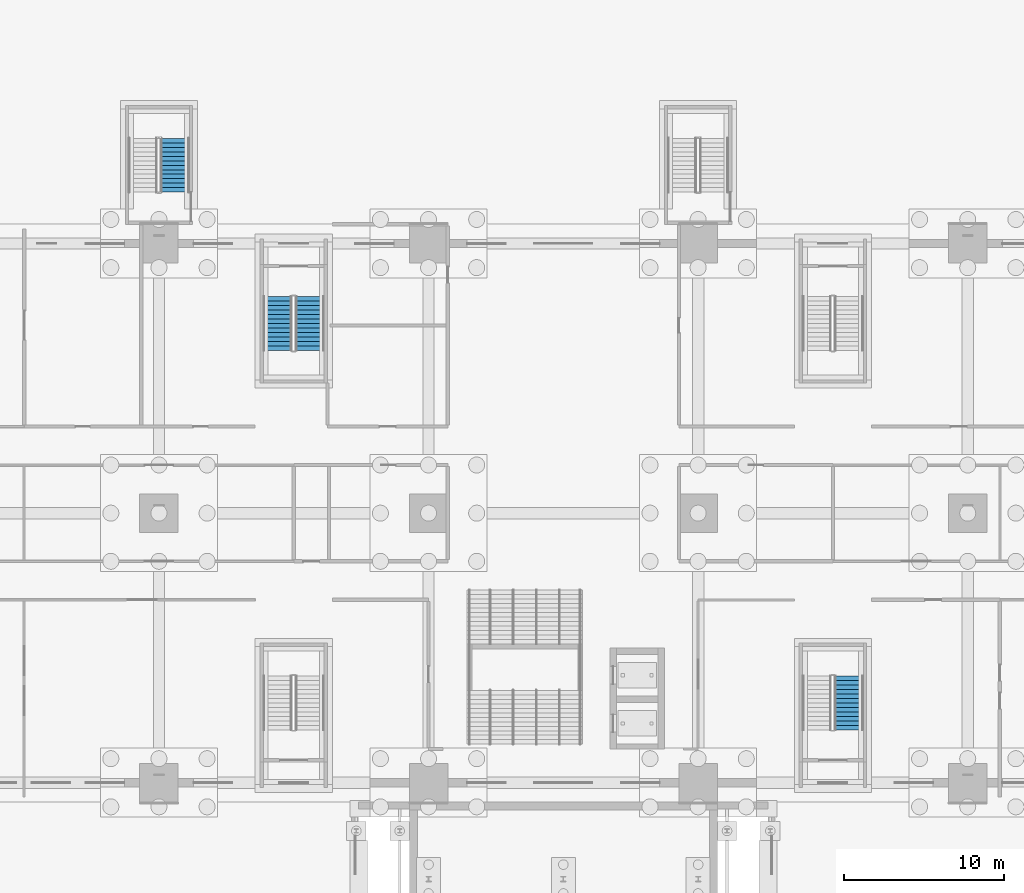
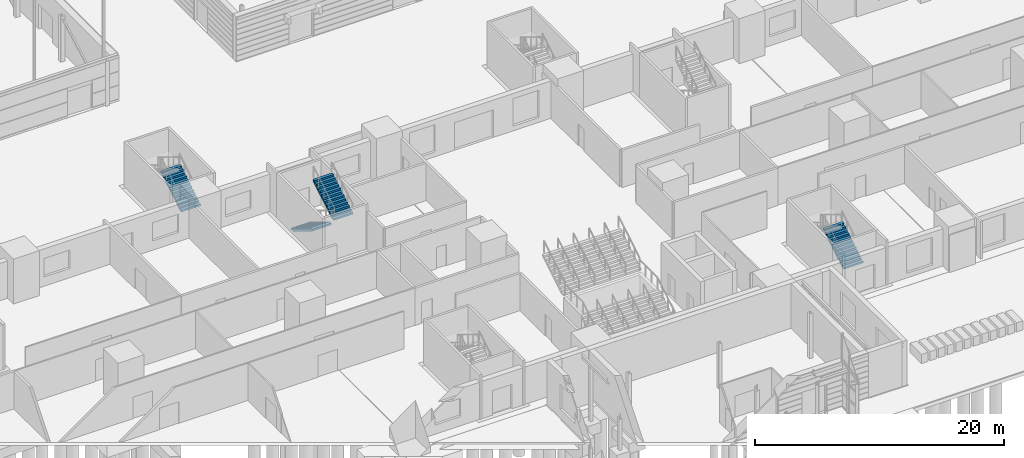
# One storey, part 109 of 139: 4 stair flights, 3 elements without a shape of their own.
"""IFC4 building model written with IfcOpenShell, lengths in metres."""

from ifc_helpers import new_model, si_unit, direction, frame, origin, place, context, subcontext, project, spatial, polygons, material, type_object, element, aggregate, save


model = new_model("IFC4")

# Units and contexts
model_context = context("Model", 3, precision=1e-05, world=origin(), true_north=direction((0.0, 1.0)))
body_context = subcontext(model_context, "Body", "Model", "MODEL_VIEW")
ifc_project = project(units=[si_unit("LENGTHUNIT", "METRE"), si_unit("AREAUNIT", "SQUARE_METRE"), si_unit("VOLUMEUNIT", "CUBIC_METRE"), si_unit("PLANEANGLEUNIT", "RADIAN"), si_unit("MASSUNIT", "GRAM", prefix="KILO")], contexts=[model_context])

# Site, building, storey
site_placement = place(None, origin())
site = spatial("IfcSite", under=ifc_project, at=site_placement, CompositionType="ELEMENT")
building_placement = place(site_placement, origin())
building = spatial("IfcBuilding", under=site, at=building_placement, Name="Verrick Yard Athletic Hall", CompositionType="ELEMENT")
storey_placement = place(building_placement, origin())
storey = spatial("IfcBuildingStorey", under=building, at=storey_placement, Name="L00", CompositionType="ELEMENT", Elevation=0.0)

# Stair, stair flight
ifc_material = material(Name="Concrete 35 MPa", Category="concrete")
stair_type = type_object("IfcStairType", Name="Stair ST3 1800 wide 26 risers", PredefinedType="HALF_TURN_STAIR", material=ifc_material)
stair_1_placement = place(storey_placement, origin())
stair_1 = element("IfcStair", 1, at=stair_1_placement, inside=storey, type_object=stair_type, Name="North deck escape 3 stair L00", PredefinedType="HALF_TURN_STAIR")
stair_flight_type = type_object("IfcStairFlightType", Name="Stair flight SF3 1800 wide 13 risers", PredefinedType="STRAIGHT", material=ifc_material)
stair_flight_1_placement = place(storey_placement, frame((74.60009765625, 56.0, 0.0), z_axis=(0.0, 0.0, 1.0), x_axis=(0.0, 1.0, 0.0)))
stair_flight_1 = element("IfcStairFlight", 2, at=stair_flight_1_placement, type_object=stair_flight_type, Name="ST3 flight 1", NumberOfRisers=13, NumberOfTreads=12, PredefinedType="STRAIGHT", RiserHeight=0.169230769, TreadLength=0.28, context=body_context, shape_type="Tessellation", body=[
    polygons([(0.28980123017674275, -0.89990234375, 0.0), (3.3600000000000003, -0.89990234375, 1.855614638571585), (3.3600000000000003, -0.89990234375, 2.030769228), (3.08, -0.89990234375, 2.030769228), (3.08, -0.89990234375, 1.8615384590000001), (2.8000000000000003, -0.89990234375, 1.8615384590000001), (2.8000000000000003, -0.89990234375, 1.69230769), (2.5200000000000005, -0.89990234375, 1.69230769), (2.5200000000000005, -0.89990234375, 1.523076921), (2.24, -0.89990234375, 1.523076921), (2.24, -0.89990234375, 1.353846152), (1.9600000000000002, -0.89990234375, 1.353846152), (1.9600000000000002, -0.89990234375, 1.1846153830000001), (1.6800000000000002, -0.89990234375, 1.1846153830000001), (1.6800000000000002, -0.89990234375, 1.015384614), (1.4000000000000001, -0.89990234375, 1.015384614), (1.4000000000000001, -0.89990234375, 0.846153845), (1.12, -0.89990234375, 0.846153845), (1.12, -0.89990234375, 0.676923076), (0.8400000000000001, -0.89990234375, 0.676923076), (0.8400000000000001, -0.89990234375, 0.507692307), (0.56, -0.89990234375, 0.507692307), (0.56, -0.89990234375, 0.338461538), (0.28, -0.89990234375, 0.338461538), (0.28, -0.89990234375, 0.169230769), (0.0, -0.89990234375, 0.169230769), (0.0, -0.89990234375, 0.0), (0.28980123017674275, -0.179931640625, 0.0), (3.3600000000000003, -0.179931640625, 1.855614638571585), (3.3600000000000003, -0.179931640625, 2.030769228), (3.08, -0.179931640625, 2.030769228), (3.08, -0.179931640625, 1.8615384590000001), (2.8000000000000003, -0.179931640625, 1.8615384590000001), (2.8000000000000003, -0.179931640625, 1.69230769), (2.5200000000000005, -0.179931640625, 1.69230769), (2.5200000000000005, -0.179931640625, 1.523076921), (2.24, -0.179931640625, 1.523076921), (2.24, -0.179931640625, 1.353846152), (1.9600000000000002, -0.179931640625, 1.353846152), (1.9600000000000002, -0.179931640625, 1.1846153830000001), (1.6800000000000002, -0.179931640625, 1.1846153830000001), (1.6800000000000002, -0.179931640625, 1.015384614), (1.4000000000000001, -0.179931640625, 1.015384614), (1.4000000000000001, -0.179931640625, 0.846153845), (1.12, -0.179931640625, 0.846153845), (1.12, -0.179931640625, 0.676923076), (0.8400000000000001, -0.179931640625, 0.676923076), (0.8400000000000001, -0.179931640625, 0.507692307), (0.56, -0.179931640625, 0.507692307), (0.56, -0.179931640625, 0.338461538), (0.28, -0.179931640625, 0.338461538), (0.28, -0.179931640625, 0.169230769), (0.0, -0.179931640625, 0.169230769), (0.0, -0.179931640625, 0.0), (0.28980123017674275, 0.179931640625, 0.0), (3.3600000000000003, 0.179931640625, 1.855614638571585), (3.3600000000000003, 0.179931640625, 2.030769228), (3.08, 0.179931640625, 2.030769228), (3.08, 0.179931640625, 1.8615384590000001), (2.8000000000000003, 0.179931640625, 1.8615384590000001), (2.8000000000000003, 0.179931640625, 1.69230769), (2.5200000000000005, 0.179931640625, 1.69230769), (2.5200000000000005, 0.179931640625, 1.523076921), (2.24, 0.179931640625, 1.523076921), (2.24, 0.179931640625, 1.353846152), (1.9600000000000002, 0.179931640625, 1.353846152), (1.9600000000000002, 0.179931640625, 1.1846153830000001), (1.6800000000000002, 0.179931640625, 1.1846153830000001), (1.6800000000000002, 0.179931640625, 1.015384614), (1.4000000000000001, 0.179931640625, 1.015384614), (1.4000000000000001, 0.179931640625, 0.846153845), (1.12, 0.179931640625, 0.846153845), (1.12, 0.179931640625, 0.676923076), (0.8400000000000001, 0.179931640625, 0.676923076), (0.8400000000000001, 0.179931640625, 0.507692307), (0.56, 0.179931640625, 0.507692307), (0.56, 0.179931640625, 0.338461538), (0.28, 0.179931640625, 0.338461538), (0.28, 0.179931640625, 0.169230769), (0.0, 0.179931640625, 0.169230769), (0.0, 0.179931640625, 0.0), (0.28980123017674275, 0.89990234375, 0.0), (3.3600000000000003, 0.89990234375, 1.855614638571585), (3.3600000000000003, 0.89990234375, 2.030769228), (3.08, 0.89990234375, 2.030769228), (3.08, 0.89990234375, 1.8615384590000001), (2.8000000000000003, 0.89990234375, 1.8615384590000001), (2.8000000000000003, 0.89990234375, 1.69230769), (2.5200000000000005, 0.89990234375, 1.69230769), (2.5200000000000005, 0.89990234375, 1.523076921), (2.24, 0.89990234375, 1.523076921), (2.24, 0.89990234375, 1.353846152), (1.9600000000000002, 0.89990234375, 1.353846152), (1.9600000000000002, 0.89990234375, 1.1846153830000001), (1.6800000000000002, 0.89990234375, 1.1846153830000001), (1.6800000000000002, 0.89990234375, 1.015384614), (1.4000000000000001, 0.89990234375, 1.015384614), (1.4000000000000001, 0.89990234375, 0.846153845), (1.12, 0.89990234375, 0.846153845), (1.12, 0.89990234375, 0.676923076), (0.8400000000000001, 0.89990234375, 0.676923076), (0.8400000000000001, 0.89990234375, 0.507692307), (0.56, 0.89990234375, 0.507692307), (0.56, 0.89990234375, 0.338461538), (0.28, 0.89990234375, 0.338461538), (0.28, 0.89990234375, 0.169230769), (0.0, 0.89990234375, 0.169230769), (0.0, 0.89990234375, 0.0)], [[[1, 2, 3, 4, 5, 6, 7, 8, 9, 10, 11, 12, 13, 14, 15, 16, 17, 18, 19, 20, 21, 22, 23, 24, 25, 26, 27]], [[108, 107, 106, 105, 104, 103, 102, 101, 100, 99, 98, 97, 96, 95, 94, 93, 92, 91, 90, 89, 88, 87, 86, 85, 84, 83, 82]], [[1, 28, 29, 2]], [[2, 29, 30, 3]], [[3, 30, 31, 4]], [[4, 31, 32, 5]], [[5, 32, 33, 6]], [[6, 33, 34, 7]], [[7, 34, 35, 8]], [[8, 35, 36, 9]], [[9, 36, 37, 10]], [[10, 37, 38, 11]], [[11, 38, 39, 12]], [[12, 39, 40, 13]], [[13, 40, 41, 14]], [[14, 41, 42, 15]], [[15, 42, 43, 16]], [[16, 43, 44, 17]], [[17, 44, 45, 18]], [[18, 45, 46, 19]], [[19, 46, 47, 20]], [[20, 47, 48, 21]], [[21, 48, 49, 22]], [[22, 49, 50, 23]], [[23, 50, 51, 24]], [[24, 51, 52, 25]], [[25, 52, 53, 26]], [[26, 53, 54, 27]], [[27, 54, 28, 1]], [[28, 55, 56, 29]], [[29, 56, 57, 30]], [[30, 57, 58, 31]], [[31, 58, 59, 32]], [[32, 59, 60, 33]], [[33, 60, 61, 34]], [[34, 61, 62, 35]], [[35, 62, 63, 36]], [[36, 63, 64, 37]], [[37, 64, 65, 38]], [[38, 65, 66, 39]], [[39, 66, 67, 40]], [[40, 67, 68, 41]], [[41, 68, 69, 42]], [[42, 69, 70, 43]], [[43, 70, 71, 44]], [[44, 71, 72, 45]], [[45, 72, 73, 46]], [[46, 73, 74, 47]], [[47, 74, 75, 48]], [[48, 75, 76, 49]], [[49, 76, 77, 50]], [[50, 77, 78, 51]], [[51, 78, 79, 52]], [[52, 79, 80, 53]], [[53, 80, 81, 54]], [[54, 81, 55, 28]], [[55, 82, 83, 56]], [[56, 83, 84, 57]], [[57, 84, 85, 58]], [[58, 85, 86, 59]], [[59, 86, 87, 60]], [[60, 87, 88, 61]], [[61, 88, 89, 62]], [[62, 89, 90, 63]], [[63, 90, 91, 64]], [[64, 91, 92, 65]], [[65, 92, 93, 66]], [[66, 93, 94, 67]], [[67, 94, 95, 68]], [[68, 95, 96, 69]], [[69, 96, 97, 70]], [[70, 97, 98, 71]], [[71, 98, 99, 72]], [[72, 99, 100, 73]], [[73, 100, 101, 74]], [[74, 101, 102, 75]], [[75, 102, 103, 76]], [[76, 103, 104, 77]], [[77, 104, 105, 78]], [[78, 105, 106, 79]], [[79, 106, 107, 80]], [[80, 107, 108, 81]], [[81, 108, 82, 55]]], closed=True),
])
aggregate(stair_1, [stair_flight_1])

# Stair, stair flights
stair_2_placement = place(storey_placement, origin())
stair_2 = element("IfcStair", 3, at=stair_2_placement, inside=storey, type_object=stair_type, Name="North plinth exit 2 stair L00", PredefinedType="HALF_TURN_STAIR")
stair_flight_2_placement = place(storey_placement, frame((81.0, 49.5, 0.0), z_axis=(0.0, 0.0, 1.0), x_axis=(0.0, -1.0, 0.0)))
stair_flight_2 = element("IfcStairFlight", 4, at=stair_flight_2_placement, type_object=stair_flight_type, Name="ST3 flight 1", NumberOfRisers=13, NumberOfTreads=12, PredefinedType="STRAIGHT", RiserHeight=0.169230769, TreadLength=0.28, context=body_context, shape_type="Tessellation", body=[
    polygons([(0.28980123017674275, -0.89990234375, 0.0), (3.3600000000000003, -0.89990234375, 1.855614638571585), (3.3600000000000003, -0.89990234375, 2.030769228), (3.08, -0.89990234375, 2.030769228), (3.08, -0.89990234375, 1.8615384590000001), (2.8000000000000003, -0.89990234375, 1.8615384590000001), (2.8000000000000003, -0.89990234375, 1.69230769), (2.5200000000000005, -0.89990234375, 1.69230769), (2.5200000000000005, -0.89990234375, 1.523076921), (2.24, -0.89990234375, 1.523076921), (2.24, -0.89990234375, 1.353846152), (1.9600000000000002, -0.89990234375, 1.353846152), (1.9600000000000002, -0.89990234375, 1.1846153830000001), (1.6800000000000002, -0.89990234375, 1.1846153830000001), (1.6800000000000002, -0.89990234375, 1.015384614), (1.4000000000000001, -0.89990234375, 1.015384614), (1.4000000000000001, -0.89990234375, 0.846153845), (1.12, -0.89990234375, 0.846153845), (1.12, -0.89990234375, 0.676923076), (0.8400000000000001, -0.89990234375, 0.676923076), (0.8400000000000001, -0.89990234375, 0.507692307), (0.56, -0.89990234375, 0.507692307), (0.56, -0.89990234375, 0.338461538), (0.28, -0.89990234375, 0.338461538), (0.28, -0.89990234375, 0.169230769), (0.0, -0.89990234375, 0.169230769), (0.0, -0.89990234375, 0.0), (0.28980123017674275, -0.179931640625, 0.0), (3.3600000000000003, -0.179931640625, 1.855614638571585), (3.3600000000000003, -0.179931640625, 2.030769228), (3.08, -0.179931640625, 2.030769228), (3.08, -0.179931640625, 1.8615384590000001), (2.8000000000000003, -0.179931640625, 1.8615384590000001), (2.8000000000000003, -0.179931640625, 1.69230769), (2.5200000000000005, -0.179931640625, 1.69230769), (2.5200000000000005, -0.179931640625, 1.523076921), (2.24, -0.179931640625, 1.523076921), (2.24, -0.179931640625, 1.353846152), (1.9600000000000002, -0.179931640625, 1.353846152), (1.9600000000000002, -0.179931640625, 1.1846153830000001), (1.6800000000000002, -0.179931640625, 1.1846153830000001), (1.6800000000000002, -0.179931640625, 1.015384614), (1.4000000000000001, -0.179931640625, 1.015384614), (1.4000000000000001, -0.179931640625, 0.846153845), (1.12, -0.179931640625, 0.846153845), (1.12, -0.179931640625, 0.676923076), (0.8400000000000001, -0.179931640625, 0.676923076), (0.8400000000000001, -0.179931640625, 0.507692307), (0.56, -0.179931640625, 0.507692307), (0.56, -0.179931640625, 0.338461538), (0.28, -0.179931640625, 0.338461538), (0.28, -0.179931640625, 0.169230769), (0.0, -0.179931640625, 0.169230769), (0.0, -0.179931640625, 0.0), (0.28980123017674275, 0.179931640625, 0.0), (3.3600000000000003, 0.179931640625, 1.855614638571585), (3.3600000000000003, 0.179931640625, 2.030769228), (3.08, 0.179931640625, 2.030769228), (3.08, 0.179931640625, 1.8615384590000001), (2.8000000000000003, 0.179931640625, 1.8615384590000001), (2.8000000000000003, 0.179931640625, 1.69230769), (2.5200000000000005, 0.179931640625, 1.69230769), (2.5200000000000005, 0.179931640625, 1.523076921), (2.24, 0.179931640625, 1.523076921), (2.24, 0.179931640625, 1.353846152), (1.9600000000000002, 0.179931640625, 1.353846152), (1.9600000000000002, 0.179931640625, 1.1846153830000001), (1.6800000000000002, 0.179931640625, 1.1846153830000001), (1.6800000000000002, 0.179931640625, 1.015384614), (1.4000000000000001, 0.179931640625, 1.015384614), (1.4000000000000001, 0.179931640625, 0.846153845), (1.12, 0.179931640625, 0.846153845), (1.12, 0.179931640625, 0.676923076), (0.8400000000000001, 0.179931640625, 0.676923076), (0.8400000000000001, 0.179931640625, 0.507692307), (0.56, 0.179931640625, 0.507692307), (0.56, 0.179931640625, 0.338461538), (0.28, 0.179931640625, 0.338461538), (0.28, 0.179931640625, 0.169230769), (0.0, 0.179931640625, 0.169230769), (0.0, 0.179931640625, 0.0), (0.28980123017674275, 0.89990234375, 0.0), (3.3600000000000003, 0.89990234375, 1.855614638571585), (3.3600000000000003, 0.89990234375, 2.030769228), (3.08, 0.89990234375, 2.030769228), (3.08, 0.89990234375, 1.8615384590000001), (2.8000000000000003, 0.89990234375, 1.8615384590000001), (2.8000000000000003, 0.89990234375, 1.69230769), (2.5200000000000005, 0.89990234375, 1.69230769), (2.5200000000000005, 0.89990234375, 1.523076921), (2.24, 0.89990234375, 1.523076921), (2.24, 0.89990234375, 1.353846152), (1.9600000000000002, 0.89990234375, 1.353846152), (1.9600000000000002, 0.89990234375, 1.1846153830000001), (1.6800000000000002, 0.89990234375, 1.1846153830000001), (1.6800000000000002, 0.89990234375, 1.015384614), (1.4000000000000001, 0.89990234375, 1.015384614), (1.4000000000000001, 0.89990234375, 0.846153845), (1.12, 0.89990234375, 0.846153845), (1.12, 0.89990234375, 0.676923076), (0.8400000000000001, 0.89990234375, 0.676923076), (0.8400000000000001, 0.89990234375, 0.507692307), (0.56, 0.89990234375, 0.507692307), (0.56, 0.89990234375, 0.338461538), (0.28, 0.89990234375, 0.338461538), (0.28, 0.89990234375, 0.169230769), (0.0, 0.89990234375, 0.169230769), (0.0, 0.89990234375, 0.0)], [[[1, 2, 3, 4, 5, 6, 7, 8, 9, 10, 11, 12, 13, 14, 15, 16, 17, 18, 19, 20, 21, 22, 23, 24, 25, 26, 27]], [[108, 107, 106, 105, 104, 103, 102, 101, 100, 99, 98, 97, 96, 95, 94, 93, 92, 91, 90, 89, 88, 87, 86, 85, 84, 83, 82]], [[1, 28, 29, 2]], [[2, 29, 30, 3]], [[3, 30, 31, 4]], [[4, 31, 32, 5]], [[5, 32, 33, 6]], [[6, 33, 34, 7]], [[7, 34, 35, 8]], [[8, 35, 36, 9]], [[9, 36, 37, 10]], [[10, 37, 38, 11]], [[11, 38, 39, 12]], [[12, 39, 40, 13]], [[13, 40, 41, 14]], [[14, 41, 42, 15]], [[15, 42, 43, 16]], [[16, 43, 44, 17]], [[17, 44, 45, 18]], [[18, 45, 46, 19]], [[19, 46, 47, 20]], [[20, 47, 48, 21]], [[21, 48, 49, 22]], [[22, 49, 50, 23]], [[23, 50, 51, 24]], [[24, 51, 52, 25]], [[25, 52, 53, 26]], [[26, 53, 54, 27]], [[27, 54, 28, 1]], [[28, 55, 56, 29]], [[29, 56, 57, 30]], [[30, 57, 58, 31]], [[31, 58, 59, 32]], [[32, 59, 60, 33]], [[33, 60, 61, 34]], [[34, 61, 62, 35]], [[35, 62, 63, 36]], [[36, 63, 64, 37]], [[37, 64, 65, 38]], [[38, 65, 66, 39]], [[39, 66, 67, 40]], [[40, 67, 68, 41]], [[41, 68, 69, 42]], [[42, 69, 70, 43]], [[43, 70, 71, 44]], [[44, 71, 72, 45]], [[45, 72, 73, 46]], [[46, 73, 74, 47]], [[47, 74, 75, 48]], [[48, 75, 76, 49]], [[49, 76, 77, 50]], [[50, 77, 78, 51]], [[51, 78, 79, 52]], [[52, 79, 80, 53]], [[53, 80, 81, 54]], [[54, 81, 55, 28]], [[55, 82, 83, 56]], [[56, 83, 84, 57]], [[57, 84, 85, 58]], [[58, 85, 86, 59]], [[59, 86, 87, 60]], [[60, 87, 88, 61]], [[61, 88, 89, 62]], [[62, 89, 90, 63]], [[63, 90, 91, 64]], [[64, 91, 92, 65]], [[65, 92, 93, 66]], [[66, 93, 94, 67]], [[67, 94, 95, 68]], [[68, 95, 96, 69]], [[69, 96, 97, 70]], [[70, 97, 98, 71]], [[71, 98, 99, 72]], [[72, 99, 100, 73]], [[73, 100, 101, 74]], [[74, 101, 102, 75]], [[75, 102, 103, 76]], [[76, 103, 104, 77]], [[77, 104, 105, 78]], [[78, 105, 106, 79]], [[79, 106, 107, 80]], [[80, 107, 108, 81]], [[81, 108, 82, 55]]], closed=True),
])
stair_flight_3_placement = place(storey_placement, frame((83.0, 46.139892578125, 2.199951171875), z_axis=(0.0, 0.0, 1.0), x_axis=(0.0, 1.0, 0.0)))
stair_flight_3 = element("IfcStairFlight", 5, at=stair_flight_3_placement, type_object=stair_flight_type, Name="ST3 flight 2", NumberOfRisers=13, NumberOfTreads=12, PredefinedType="STRAIGHT", RiserHeight=0.169230769, TreadLength=0.28, context=body_context, shape_type="Tessellation", body=[
    polygons([(0.28980123017674275, -0.89990234375, 0.0), (3.3600000000000003, -0.89990234375, 1.855614638571585), (3.3600000000000003, -0.89990234375, 2.030769228), (3.08, -0.89990234375, 2.030769228), (3.08, -0.89990234375, 1.8615384590000001), (2.8000000000000003, -0.89990234375, 1.8615384590000001), (2.8000000000000003, -0.89990234375, 1.69230769), (2.5200000000000005, -0.89990234375, 1.69230769), (2.5200000000000005, -0.89990234375, 1.523076921), (2.24, -0.89990234375, 1.523076921), (2.24, -0.89990234375, 1.353846152), (1.9600000000000002, -0.89990234375, 1.353846152), (1.9600000000000002, -0.89990234375, 1.1846153830000001), (1.6800000000000002, -0.89990234375, 1.1846153830000001), (1.6800000000000002, -0.89990234375, 1.015384614), (1.4000000000000001, -0.89990234375, 1.015384614), (1.4000000000000001, -0.89990234375, 0.846153845), (1.12, -0.89990234375, 0.846153845), (1.12, -0.89990234375, 0.676923076), (0.8400000000000001, -0.89990234375, 0.676923076), (0.8400000000000001, -0.89990234375, 0.507692307), (0.56, -0.89990234375, 0.507692307), (0.56, -0.89990234375, 0.338461538), (0.28, -0.89990234375, 0.338461538), (0.28, -0.89990234375, 0.169230769), (0.0, -0.89990234375, 0.169230769), (0.0, -0.89990234375, 0.0), (0.28980123017674275, -0.179931640625, 0.0), (3.3600000000000003, -0.179931640625, 1.855614638571585), (3.3600000000000003, -0.179931640625, 2.030769228), (3.08, -0.179931640625, 2.030769228), (3.08, -0.179931640625, 1.8615384590000001), (2.8000000000000003, -0.179931640625, 1.8615384590000001), (2.8000000000000003, -0.179931640625, 1.69230769), (2.5200000000000005, -0.179931640625, 1.69230769), (2.5200000000000005, -0.179931640625, 1.523076921), (2.24, -0.179931640625, 1.523076921), (2.24, -0.179931640625, 1.353846152), (1.9600000000000002, -0.179931640625, 1.353846152), (1.9600000000000002, -0.179931640625, 1.1846153830000001), (1.6800000000000002, -0.179931640625, 1.1846153830000001), (1.6800000000000002, -0.179931640625, 1.015384614), (1.4000000000000001, -0.179931640625, 1.015384614), (1.4000000000000001, -0.179931640625, 0.846153845), (1.12, -0.179931640625, 0.846153845), (1.12, -0.179931640625, 0.676923076), (0.8400000000000001, -0.179931640625, 0.676923076), (0.8400000000000001, -0.179931640625, 0.507692307), (0.56, -0.179931640625, 0.507692307), (0.56, -0.179931640625, 0.338461538), (0.28, -0.179931640625, 0.338461538), (0.28, -0.179931640625, 0.169230769), (0.0, -0.179931640625, 0.169230769), (0.0, -0.179931640625, 0.0), (0.28980123017674275, 0.179931640625, 0.0), (3.3600000000000003, 0.179931640625, 1.855614638571585), (3.3600000000000003, 0.179931640625, 2.030769228), (3.08, 0.179931640625, 2.030769228), (3.08, 0.179931640625, 1.8615384590000001), (2.8000000000000003, 0.179931640625, 1.8615384590000001), (2.8000000000000003, 0.179931640625, 1.69230769), (2.5200000000000005, 0.179931640625, 1.69230769), (2.5200000000000005, 0.179931640625, 1.523076921), (2.24, 0.179931640625, 1.523076921), (2.24, 0.179931640625, 1.353846152), (1.9600000000000002, 0.179931640625, 1.353846152), (1.9600000000000002, 0.179931640625, 1.1846153830000001), (1.6800000000000002, 0.179931640625, 1.1846153830000001), (1.6800000000000002, 0.179931640625, 1.015384614), (1.4000000000000001, 0.179931640625, 1.015384614), (1.4000000000000001, 0.179931640625, 0.846153845), (1.12, 0.179931640625, 0.846153845), (1.12, 0.179931640625, 0.676923076), (0.8400000000000001, 0.179931640625, 0.676923076), (0.8400000000000001, 0.179931640625, 0.507692307), (0.56, 0.179931640625, 0.507692307), (0.56, 0.179931640625, 0.338461538), (0.28, 0.179931640625, 0.338461538), (0.28, 0.179931640625, 0.169230769), (0.0, 0.179931640625, 0.169230769), (0.0, 0.179931640625, 0.0), (0.28980123017674275, 0.89990234375, 0.0), (3.3600000000000003, 0.89990234375, 1.855614638571585), (3.3600000000000003, 0.89990234375, 2.030769228), (3.08, 0.89990234375, 2.030769228), (3.08, 0.89990234375, 1.8615384590000001), (2.8000000000000003, 0.89990234375, 1.8615384590000001), (2.8000000000000003, 0.89990234375, 1.69230769), (2.5200000000000005, 0.89990234375, 1.69230769), (2.5200000000000005, 0.89990234375, 1.523076921), (2.24, 0.89990234375, 1.523076921), (2.24, 0.89990234375, 1.353846152), (1.9600000000000002, 0.89990234375, 1.353846152), (1.9600000000000002, 0.89990234375, 1.1846153830000001), (1.6800000000000002, 0.89990234375, 1.1846153830000001), (1.6800000000000002, 0.89990234375, 1.015384614), (1.4000000000000001, 0.89990234375, 1.015384614), (1.4000000000000001, 0.89990234375, 0.846153845), (1.12, 0.89990234375, 0.846153845), (1.12, 0.89990234375, 0.676923076), (0.8400000000000001, 0.89990234375, 0.676923076), (0.8400000000000001, 0.89990234375, 0.507692307), (0.56, 0.89990234375, 0.507692307), (0.56, 0.89990234375, 0.338461538), (0.28, 0.89990234375, 0.338461538), (0.28, 0.89990234375, 0.169230769), (0.0, 0.89990234375, 0.169230769), (0.0, 0.89990234375, 0.0)], [[[1, 2, 3, 4, 5, 6, 7, 8, 9, 10, 11, 12, 13, 14, 15, 16, 17, 18, 19, 20, 21, 22, 23, 24, 25, 26, 27]], [[108, 107, 106, 105, 104, 103, 102, 101, 100, 99, 98, 97, 96, 95, 94, 93, 92, 91, 90, 89, 88, 87, 86, 85, 84, 83, 82]], [[1, 28, 29, 2]], [[2, 29, 30, 3]], [[3, 30, 31, 4]], [[4, 31, 32, 5]], [[5, 32, 33, 6]], [[6, 33, 34, 7]], [[7, 34, 35, 8]], [[8, 35, 36, 9]], [[9, 36, 37, 10]], [[10, 37, 38, 11]], [[11, 38, 39, 12]], [[12, 39, 40, 13]], [[13, 40, 41, 14]], [[14, 41, 42, 15]], [[15, 42, 43, 16]], [[16, 43, 44, 17]], [[17, 44, 45, 18]], [[18, 45, 46, 19]], [[19, 46, 47, 20]], [[20, 47, 48, 21]], [[21, 48, 49, 22]], [[22, 49, 50, 23]], [[23, 50, 51, 24]], [[24, 51, 52, 25]], [[25, 52, 53, 26]], [[26, 53, 54, 27]], [[27, 54, 28, 1]], [[28, 55, 56, 29]], [[29, 56, 57, 30]], [[30, 57, 58, 31]], [[31, 58, 59, 32]], [[32, 59, 60, 33]], [[33, 60, 61, 34]], [[34, 61, 62, 35]], [[35, 62, 63, 36]], [[36, 63, 64, 37]], [[37, 64, 65, 38]], [[38, 65, 66, 39]], [[39, 66, 67, 40]], [[40, 67, 68, 41]], [[41, 68, 69, 42]], [[42, 69, 70, 43]], [[43, 70, 71, 44]], [[44, 71, 72, 45]], [[45, 72, 73, 46]], [[46, 73, 74, 47]], [[47, 74, 75, 48]], [[48, 75, 76, 49]], [[49, 76, 77, 50]], [[50, 77, 78, 51]], [[51, 78, 79, 52]], [[52, 79, 80, 53]], [[53, 80, 81, 54]], [[54, 81, 55, 28]], [[55, 82, 83, 56]], [[56, 83, 84, 57]], [[57, 84, 85, 58]], [[58, 85, 86, 59]], [[59, 86, 87, 60]], [[60, 87, 88, 61]], [[61, 88, 89, 62]], [[62, 89, 90, 63]], [[63, 90, 91, 64]], [[64, 91, 92, 65]], [[65, 92, 93, 66]], [[66, 93, 94, 67]], [[67, 94, 95, 68]], [[68, 95, 96, 69]], [[69, 96, 97, 70]], [[70, 97, 98, 71]], [[71, 98, 99, 72]], [[72, 99, 100, 73]], [[73, 100, 101, 74]], [[74, 101, 102, 75]], [[75, 102, 103, 76]], [[76, 103, 104, 77]], [[77, 104, 105, 78]], [[78, 105, 106, 79]], [[79, 106, 107, 80]], [[80, 107, 108, 81]], [[81, 108, 82, 55]]], closed=True),
])
aggregate(stair_2, [stair_flight_2, stair_flight_3])

# Stair, stair flight
stair_3_placement = place(storey_placement, origin())
stair_3 = element("IfcStair", 6, at=stair_3_placement, inside=storey, type_object=stair_type, Name="South plinth exit 3 stair L00", PredefinedType="HALF_TURN_STAIR")
stair_flight_4_placement = place(storey_placement, frame((116.60009765625, 22.5, 0.0), z_axis=(0.0, 0.0, 1.0), x_axis=(0.0, 1.0, 0.0)))
stair_flight_4 = element("IfcStairFlight", 7, at=stair_flight_4_placement, type_object=stair_flight_type, Name="ST3 flight 1", NumberOfRisers=13, NumberOfTreads=12, PredefinedType="STRAIGHT", RiserHeight=0.169230769, TreadLength=0.28, context=body_context, shape_type="Tessellation", body=[
    polygons([(0.28980123017674275, -0.89990234375, 0.0), (3.3600000000000003, -0.89990234375, 1.855614638571585), (3.3600000000000003, -0.89990234375, 2.030769228), (3.08, -0.89990234375, 2.030769228), (3.08, -0.89990234375, 1.8615384590000001), (2.8000000000000003, -0.89990234375, 1.8615384590000001), (2.8000000000000003, -0.89990234375, 1.69230769), (2.5200000000000005, -0.89990234375, 1.69230769), (2.5200000000000005, -0.89990234375, 1.523076921), (2.24, -0.89990234375, 1.523076921), (2.24, -0.89990234375, 1.353846152), (1.9600000000000002, -0.89990234375, 1.353846152), (1.9600000000000002, -0.89990234375, 1.1846153830000001), (1.6800000000000002, -0.89990234375, 1.1846153830000001), (1.6800000000000002, -0.89990234375, 1.015384614), (1.4000000000000001, -0.89990234375, 1.015384614), (1.4000000000000001, -0.89990234375, 0.846153845), (1.12, -0.89990234375, 0.846153845), (1.12, -0.89990234375, 0.676923076), (0.8400000000000001, -0.89990234375, 0.676923076), (0.8400000000000001, -0.89990234375, 0.507692307), (0.56, -0.89990234375, 0.507692307), (0.56, -0.89990234375, 0.338461538), (0.28, -0.89990234375, 0.338461538), (0.28, -0.89990234375, 0.169230769), (0.0, -0.89990234375, 0.169230769), (0.0, -0.89990234375, 0.0), (0.28980123017674275, -0.179931640625, 0.0), (3.3600000000000003, -0.179931640625, 1.855614638571585), (3.3600000000000003, -0.179931640625, 2.030769228), (3.08, -0.179931640625, 2.030769228), (3.08, -0.179931640625, 1.8615384590000001), (2.8000000000000003, -0.179931640625, 1.8615384590000001), (2.8000000000000003, -0.179931640625, 1.69230769), (2.5200000000000005, -0.179931640625, 1.69230769), (2.5200000000000005, -0.179931640625, 1.523076921), (2.24, -0.179931640625, 1.523076921), (2.24, -0.179931640625, 1.353846152), (1.9600000000000002, -0.179931640625, 1.353846152), (1.9600000000000002, -0.179931640625, 1.1846153830000001), (1.6800000000000002, -0.179931640625, 1.1846153830000001), (1.6800000000000002, -0.179931640625, 1.015384614), (1.4000000000000001, -0.179931640625, 1.015384614), (1.4000000000000001, -0.179931640625, 0.846153845), (1.12, -0.179931640625, 0.846153845), (1.12, -0.179931640625, 0.676923076), (0.8400000000000001, -0.179931640625, 0.676923076), (0.8400000000000001, -0.179931640625, 0.507692307), (0.56, -0.179931640625, 0.507692307), (0.56, -0.179931640625, 0.338461538), (0.28, -0.179931640625, 0.338461538), (0.28, -0.179931640625, 0.169230769), (0.0, -0.179931640625, 0.169230769), (0.0, -0.179931640625, 0.0), (0.28980123017674275, 0.179931640625, 0.0), (3.3600000000000003, 0.179931640625, 1.855614638571585), (3.3600000000000003, 0.179931640625, 2.030769228), (3.08, 0.179931640625, 2.030769228), (3.08, 0.179931640625, 1.8615384590000001), (2.8000000000000003, 0.179931640625, 1.8615384590000001), (2.8000000000000003, 0.179931640625, 1.69230769), (2.5200000000000005, 0.179931640625, 1.69230769), (2.5200000000000005, 0.179931640625, 1.523076921), (2.24, 0.179931640625, 1.523076921), (2.24, 0.179931640625, 1.353846152), (1.9600000000000002, 0.179931640625, 1.353846152), (1.9600000000000002, 0.179931640625, 1.1846153830000001), (1.6800000000000002, 0.179931640625, 1.1846153830000001), (1.6800000000000002, 0.179931640625, 1.015384614), (1.4000000000000001, 0.179931640625, 1.015384614), (1.4000000000000001, 0.179931640625, 0.846153845), (1.12, 0.179931640625, 0.846153845), (1.12, 0.179931640625, 0.676923076), (0.8400000000000001, 0.179931640625, 0.676923076), (0.8400000000000001, 0.179931640625, 0.507692307), (0.56, 0.179931640625, 0.507692307), (0.56, 0.179931640625, 0.338461538), (0.28, 0.179931640625, 0.338461538), (0.28, 0.179931640625, 0.169230769), (0.0, 0.179931640625, 0.169230769), (0.0, 0.179931640625, 0.0), (0.28980123017674275, 0.89990234375, 0.0), (3.3600000000000003, 0.89990234375, 1.855614638571585), (3.3600000000000003, 0.89990234375, 2.030769228), (3.08, 0.89990234375, 2.030769228), (3.08, 0.89990234375, 1.8615384590000001), (2.8000000000000003, 0.89990234375, 1.8615384590000001), (2.8000000000000003, 0.89990234375, 1.69230769), (2.5200000000000005, 0.89990234375, 1.69230769), (2.5200000000000005, 0.89990234375, 1.523076921), (2.24, 0.89990234375, 1.523076921), (2.24, 0.89990234375, 1.353846152), (1.9600000000000002, 0.89990234375, 1.353846152), (1.9600000000000002, 0.89990234375, 1.1846153830000001), (1.6800000000000002, 0.89990234375, 1.1846153830000001), (1.6800000000000002, 0.89990234375, 1.015384614), (1.4000000000000001, 0.89990234375, 1.015384614), (1.4000000000000001, 0.89990234375, 0.846153845), (1.12, 0.89990234375, 0.846153845), (1.12, 0.89990234375, 0.676923076), (0.8400000000000001, 0.89990234375, 0.676923076), (0.8400000000000001, 0.89990234375, 0.507692307), (0.56, 0.89990234375, 0.507692307), (0.56, 0.89990234375, 0.338461538), (0.28, 0.89990234375, 0.338461538), (0.28, 0.89990234375, 0.169230769), (0.0, 0.89990234375, 0.169230769), (0.0, 0.89990234375, 0.0)], [[[1, 2, 3, 4, 5, 6, 7, 8, 9, 10, 11, 12, 13, 14, 15, 16, 17, 18, 19, 20, 21, 22, 23, 24, 25, 26, 27]], [[108, 107, 106, 105, 104, 103, 102, 101, 100, 99, 98, 97, 96, 95, 94, 93, 92, 91, 90, 89, 88, 87, 86, 85, 84, 83, 82]], [[1, 28, 29, 2]], [[2, 29, 30, 3]], [[3, 30, 31, 4]], [[4, 31, 32, 5]], [[5, 32, 33, 6]], [[6, 33, 34, 7]], [[7, 34, 35, 8]], [[8, 35, 36, 9]], [[9, 36, 37, 10]], [[10, 37, 38, 11]], [[11, 38, 39, 12]], [[12, 39, 40, 13]], [[13, 40, 41, 14]], [[14, 41, 42, 15]], [[15, 42, 43, 16]], [[16, 43, 44, 17]], [[17, 44, 45, 18]], [[18, 45, 46, 19]], [[19, 46, 47, 20]], [[20, 47, 48, 21]], [[21, 48, 49, 22]], [[22, 49, 50, 23]], [[23, 50, 51, 24]], [[24, 51, 52, 25]], [[25, 52, 53, 26]], [[26, 53, 54, 27]], [[27, 54, 28, 1]], [[28, 55, 56, 29]], [[29, 56, 57, 30]], [[30, 57, 58, 31]], [[31, 58, 59, 32]], [[32, 59, 60, 33]], [[33, 60, 61, 34]], [[34, 61, 62, 35]], [[35, 62, 63, 36]], [[36, 63, 64, 37]], [[37, 64, 65, 38]], [[38, 65, 66, 39]], [[39, 66, 67, 40]], [[40, 67, 68, 41]], [[41, 68, 69, 42]], [[42, 69, 70, 43]], [[43, 70, 71, 44]], [[44, 71, 72, 45]], [[45, 72, 73, 46]], [[46, 73, 74, 47]], [[47, 74, 75, 48]], [[48, 75, 76, 49]], [[49, 76, 77, 50]], [[50, 77, 78, 51]], [[51, 78, 79, 52]], [[52, 79, 80, 53]], [[53, 80, 81, 54]], [[54, 81, 55, 28]], [[55, 82, 83, 56]], [[56, 83, 84, 57]], [[57, 84, 85, 58]], [[58, 85, 86, 59]], [[59, 86, 87, 60]], [[60, 87, 88, 61]], [[61, 88, 89, 62]], [[62, 89, 90, 63]], [[63, 90, 91, 64]], [[64, 91, 92, 65]], [[65, 92, 93, 66]], [[66, 93, 94, 67]], [[67, 94, 95, 68]], [[68, 95, 96, 69]], [[69, 96, 97, 70]], [[70, 97, 98, 71]], [[71, 98, 99, 72]], [[72, 99, 100, 73]], [[73, 100, 101, 74]], [[74, 101, 102, 75]], [[75, 102, 103, 76]], [[76, 103, 104, 77]], [[77, 104, 105, 78]], [[78, 105, 106, 79]], [[79, 106, 107, 80]], [[80, 107, 108, 81]], [[81, 108, 82, 55]]], closed=True),
])
aggregate(stair_3, [stair_flight_4])

save(model, "model.ifc")
